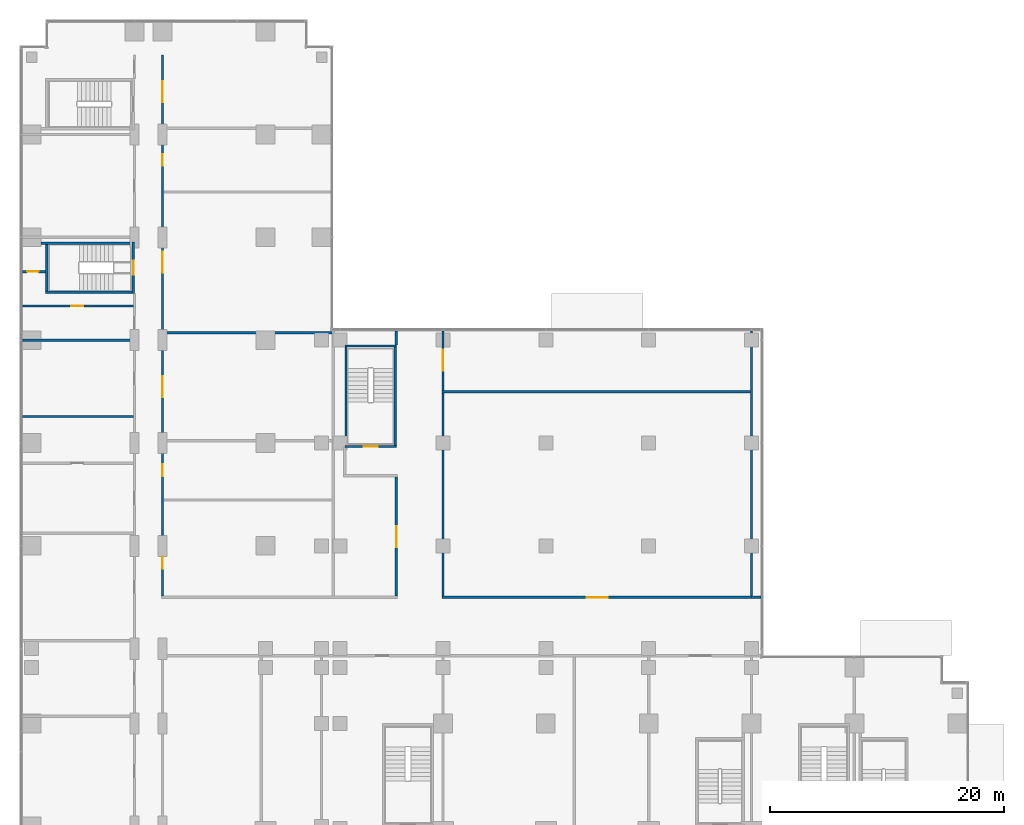
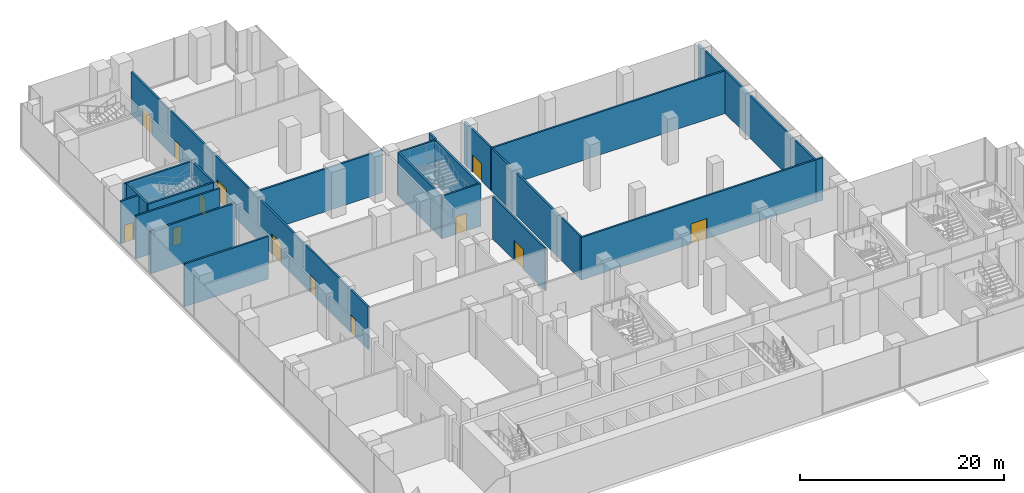
# One storey, part 20 of 30: 22 walls, 13 doors, 13 openings.
"""IFC4 building model written with IfcOpenShell, lengths in metres."""

from ifc_helpers import new_model, si_unit, direction, frame, frame_2d, origin, place, context, subcontext, project, spatial, rectangle, extrude, material, layer, layer_set, type_object, element, fill, save


model = new_model("IFC4")

# Units and contexts
model_context = context("Model", 3, precision=1e-05, world=origin(), true_north=direction((0.0, 1.0)))
body_context = subcontext(model_context, "Body", "Model", "MODEL_VIEW")
ifc_project = project(units=[si_unit("LENGTHUNIT", "METRE"), si_unit("AREAUNIT", "SQUARE_METRE"), si_unit("VOLUMEUNIT", "CUBIC_METRE"), si_unit("PLANEANGLEUNIT", "RADIAN"), si_unit("MASSUNIT", "GRAM", prefix="KILO")], contexts=[model_context])

# Site, building, storey
site_placement = place(None, origin())
site = spatial("IfcSite", under=ifc_project, at=site_placement, CompositionType="ELEMENT")
building_placement = place(site_placement, origin())
building = spatial("IfcBuilding", under=site, at=building_placement, Name="Kemantara Hotel Tower", CompositionType="ELEMENT")
storey_placement = place(building_placement, frame((0.0, 0.0, 7.5)))
storey = spatial("IfcBuildingStorey", under=building, at=storey_placement, Name="L01", CompositionType="ELEMENT", Elevation=7.5)

# Wall, opening, door
ifc_material_1 = material(Name="Concrete fc 40 MPa", Category="concrete")
ifc_layer_1 = layer(ifc_material_1, 0.199951171875)
ifc_layer_set_1 = layer_set([ifc_layer_1], Name="Concrete fc 40 MPa")
wall_type_1 = type_object("IfcWallType", Name="Concrete stair wall 200 mm", PredefinedType="SHEAR", material=ifc_layer_set_1)
wall_1_placement = place(storey_placement, frame((9.699951171875, 57.800048828125, 0.0), z_axis=(0.0, 0.0, 1.0), x_axis=(0.0, 1.0, 0.0)))
wall_1 = element("IfcWall", 1, at=wall_1_placement, inside=storey, type_object=wall_type_1, Name="Stair ST4 enclosure wall with door", PredefinedType="SHEAR", context=body_context, shape_type="SweptSolid", body=[
    extrude(rectangle(XDim=4.39990234375, YDim=0.199951171875, at=frame_2d((2.199951171875, 0.0))), origin(), (0.0, 0.0, 1.0), 5.10009765625),
])
opening_1_placement = place(wall_1_placement, frame((1.60009765625, 0.0, 0.0)))
opening_1 = element("IfcOpeningElement", 2, at=opening_1_placement, cuts=wall_1, Name="Opening ST4-C", PredefinedType="OPENING", context=body_context, shape_type="SweptSolid", body=[
    extrude(rectangle(XDim=1.199951171875, YDim=2.10009765625, at=frame_2d((0.60009765625, 1.050048828125))), frame((0.0, 0.10986328125, 0.0), z_axis=(0.0, -1.0, 0.0), x_axis=(1.0, 0.0, 0.0)), (0.0, 0.0, 1.0), 0.219970703125),
])
ifc_material_2 = material(Name="Steel fire door", Category="steel")
door_type_1 = type_object("IfcDoorType", Name="Fire door FD90 1200 x 2100", OperationType="NOTDEFINED", PredefinedType="DOOR", material=ifc_material_2)
door_1_placement = place(opening_1_placement, origin())
door_1 = element("IfcDoor", 3, at=door_1_placement, inside=storey, type_object=door_type_1, Name="Stair ST4 door", OperationType="SINGLE_SWING_RIGHT", OverallHeight=2.10009765625, OverallWidth=1.199951171875, PredefinedType="DOOR", context=body_context, shape_type="SweptSolid", body=[
    extrude(rectangle(XDim=1.199951171875, YDim=2.10009765625, at=frame_2d((0.60009765625, 1.050048828125))), frame((0.0, 0.02490234375, 0.0), z_axis=(0.0, -1.0, 0.0), x_axis=(1.0, 0.0, 0.0)), (0.0, 0.0, 1.0), 0.050048828125),
])
fill(opening_1, door_1)

# Walls
wall_2_placement = place(storey_placement, frame((1.800048828125, 62.10009765625, 0.0), z_axis=(0.0, 0.0, 1.0), x_axis=(1.0, 0.0, 0.0)))
element("IfcWall", 4, at=wall_2_placement, inside=storey, type_object=wall_type_1, Name="Stair ST4 enclosure wall N", PredefinedType="SHEAR", context=body_context, shape_type="SweptSolid", body=[
    extrude(rectangle(XDim=7.800048828125, YDim=0.199951171875, at=frame_2d((3.89990234375, 0.0))), origin(), (0.0, 0.0, 1.0), 5.10009765625),
])
wall_3_placement = place(storey_placement, frame((2.199951171875, 57.89990234375, 0.0), z_axis=(0.0, 0.0, 1.0), x_axis=(1.0, 0.0, 0.0)))
element("IfcWall", 5, at=wall_3_placement, inside=storey, type_object=wall_type_1, Name="Stair ST4 enclosure wall S", PredefinedType="SHEAR", context=body_context, shape_type="SweptSolid", body=[
    extrude(rectangle(XDim=7.400146484375, YDim=0.199951171875, at=frame_2d((3.7001953125, 0.0))), origin(), (0.0, 0.0, 1.0), 5.10009765625),
])
wall_4_placement = place(storey_placement, frame((2.300048828125, 58.0, 0.0), z_axis=(0.0, 0.0, 1.0), x_axis=(0.0, 1.0, 0.0)))
element("IfcWall", 6, at=wall_4_placement, inside=storey, type_object=wall_type_1, Name="Stair ST4 enclosure wall W", PredefinedType="SHEAR", context=body_context, shape_type="SweptSolid", body=[
    extrude(rectangle(XDim=4.0, YDim=0.199951171875, at=frame_2d((2.0, 0.0))), origin(), (0.0, 0.0, 1.0), 5.10009765625),
])

# Wall, opening, door
wall_5_placement = place(storey_placement, frame((27.800048828125, 44.699951171875, 0.0), z_axis=(0.0, 0.0, 1.0), x_axis=(1.0, 0.0, 0.0)))
wall_5 = element("IfcWall", 7, at=wall_5_placement, inside=storey, type_object=wall_type_1, Name="Stair PS2 enclosure wall with door", PredefinedType="SHEAR", context=body_context, shape_type="SweptSolid", body=[
    extrude(rectangle(XDim=4.39990234375, YDim=0.199951171875, at=frame_2d((2.199951171875, 0.0))), origin(), (0.0, 0.0, 1.0), 5.10009765625),
])
opening_2_placement = place(wall_5_placement, frame((1.60009765625, 0.0, 0.0)))
opening_2 = element("IfcOpeningElement", 8, at=opening_2_placement, cuts=wall_5, Name="Opening PS2-C", PredefinedType="OPENING", context=body_context, shape_type="SweptSolid", body=[
    extrude(rectangle(XDim=1.199951171875, YDim=2.10009765625, at=frame_2d((0.60009765625, 1.050048828125))), frame((0.0, 0.10986328125, 0.0), z_axis=(0.0, -1.0, 0.0), x_axis=(1.0, 0.0, 0.0)), (0.0, 0.0, 1.0), 0.219970703125),
])
door_2_placement = place(opening_2_placement, origin())
door_2 = element("IfcDoor", 9, at=door_2_placement, inside=storey, type_object=door_type_1, Name="Stair PS2 door", OperationType="SINGLE_SWING_LEFT", OverallHeight=2.10009765625, OverallWidth=1.199951171875, PredefinedType="DOOR", context=body_context, shape_type="SweptSolid", body=[
    extrude(rectangle(XDim=1.199951171875, YDim=2.10009765625, at=frame_2d((0.60009765625, 1.050048828125))), frame((0.0, 0.02490234375, 0.0), z_axis=(0.0, -1.0, 0.0), x_axis=(1.0, 0.0, 0.0)), (0.0, 0.0, 1.0), 0.050048828125),
])
fill(opening_2, door_2)

# Walls
wall_6_placement = place(storey_placement, frame((27.800048828125, 53.300048828125, 0.0), z_axis=(0.0, 0.0, 1.0), x_axis=(1.0, 0.0, 0.0)))
element("IfcWall", 10, at=wall_6_placement, inside=storey, type_object=wall_type_1, Name="Stair PS2 enclosure wall N", PredefinedType="SHEAR", context=body_context, shape_type="SweptSolid", body=[
    extrude(rectangle(XDim=4.39990234375, YDim=0.199951171875, at=frame_2d((2.199951171875, 0.0))), origin(), (0.0, 0.0, 1.0), 5.10009765625),
])
for number, where, z_axis, x_axis, name in (
    (11, (27.89990234375, 44.800048828125, 0.0), (0.0, 0.0, 1.0), (0.0, 1.0, 0.0), "Stair PS2 enclosure wall W"),
    (12, (32.10009765625, 44.800048828125, 0.0), (0.0, 0.0, 1.0), (0.0, 1.0, 0.0), "Stair PS2 enclosure wall E"),
):
    element("IfcWall", number, at=place(storey_placement, frame(where, z_axis=z_axis, x_axis=x_axis)), inside=storey, type_object=wall_type_1, Name=name, PredefinedType="SHEAR", context=body_context, shape_type="SweptSolid", body=[
        extrude(rectangle(XDim=8.39990234375, YDim=0.199951171875, at=frame_2d((4.199951171875, 0.0))), origin(), (0.0, 0.0, 1.0), 5.10009765625),
    ])
ifc_material_3 = material(Name="Clay brick masonry", Category="masonry")
ifc_layer_2 = layer(ifc_material_3, 0.199951171875)
ifc_layer_set_2 = layer_set([ifc_layer_2], Name="Clay brick masonry")
wall_type_2 = type_object("IfcWallType", Name="FIRE-RATED CLAY BRICK WALL 200 EI 120", PredefinedType="PARTITIONING", material=ifc_layer_set_2)
wall_7_placement = place(storey_placement, frame((62.60009765625, 31.800048828125, 0.0), z_axis=(0.0, 0.0, 1.0), x_axis=(1.0, 0.0, 0.0)))
element("IfcWall", 13, at=wall_7_placement, inside=storey, type_object=wall_type_2, Name="FIRE WALL", PredefinedType="PARTITIONING", context=body_context, shape_type="SweptSolid", body=[
    extrude(rectangle(XDim=0.7998046875, YDim=0.199951171875, at=frame_2d((0.39990234375, 0.0))), origin(), (0.0, 0.0, 1.0), 5.10009765625),
])
wall_8_placement = place(storey_placement, frame((62.60009765625, 31.89990234375, 0.0), z_axis=(0.0, 0.0, 1.0), x_axis=(0.0, 1.0, 0.0)))
element("IfcWall", 14, at=wall_8_placement, inside=storey, type_object=wall_type_2, Name="FIRE WALL", PredefinedType="PARTITIONING", context=body_context, shape_type="SweptSolid", body=[
    extrude(rectangle(XDim=22.7001953125, YDim=0.199951171875, at=frame_2d((11.35009765625, 0.0))), origin(), (0.0, 0.0, 1.0), 5.10009765625),
])

# Wall, openings, doors
ifc_material_4 = material(Name="Fire-rated gypsum board partition")
ifc_layer_3 = layer(ifc_material_4, 0.199951171875)
ifc_layer_set_3 = layer_set([ifc_layer_3], Name="Fire-rated gypsum board partition")
wall_type_3 = type_object("IfcWallType", Name="FIRE-RATED GYPSUM PARTITION 200 EI 60", PredefinedType="PARTITIONING", material=ifc_layer_set_3)
wall_9_placement = place(storey_placement, frame((12.199951171875, 31.89990234375, 0.0), z_axis=(0.0, 0.0, 1.0), x_axis=(0.0, 1.0, 0.0)))
wall_9 = element("IfcWall", 15, at=wall_9_placement, inside=storey, type_object=wall_type_3, Name="FIRE-RATED PARTITION", PredefinedType="PARTITIONING", context=body_context, shape_type="SweptSolid", body=[
    extrude(rectangle(XDim=46.300048828125, YDim=0.199951171875, at=frame_2d((23.14990234375, 0.0))), origin(), (0.0, 0.0, 1.0), 5.10009765625),
])
opening_3_placement = place(wall_9_placement, frame((2.364990234375, 0.0, 0.0)))
opening_3 = element("IfcOpeningElement", 16, at=opening_3_placement, cuts=wall_9, Name="Opening L01-B016", PredefinedType="OPENING", context=body_context, shape_type="SweptSolid", body=[
    extrude(rectangle(XDim=1.0, YDim=2.10009765625, at=frame_2d((0.5, 1.050048828125))), frame((0.0, 0.10986328125, 0.0), z_axis=(0.0, -1.0, 0.0), x_axis=(1.0, 0.0, 0.0)), (0.0, 0.0, 1.0), 0.219970703125),
])
opening_4_placement = place(wall_9_placement, frame((10.264892578125, 0.0, 0.0)))
opening_4 = element("IfcOpeningElement", 17, at=opening_4_placement, cuts=wall_9, Name="Opening L01-B017", PredefinedType="OPENING", context=body_context, shape_type="SweptSolid", body=[
    extrude(rectangle(XDim=1.0, YDim=2.10009765625, at=frame_2d((0.5, 1.050048828125))), frame((0.0, 0.10986328125, 0.0), z_axis=(0.0, -1.0, 0.0), x_axis=(1.0, 0.0, 0.0)), (0.0, 0.0, 1.0), 0.219970703125),
])
opening_5_placement = place(wall_9_placement, frame((17.02490234375, 0.0, 0.0)))
opening_5 = element("IfcOpeningElement", 18, at=opening_5_placement, cuts=wall_9, Name="Opening L01-B018", PredefinedType="OPENING", context=body_context, shape_type="SweptSolid", body=[
    extrude(rectangle(XDim=1.800048828125, YDim=2.39990234375, at=frame_2d((0.89990234375, 1.199951171875))), frame((0.0, 0.10986328125, 0.0), z_axis=(0.0, -1.0, 0.0), x_axis=(1.0, 0.0, 0.0)), (0.0, 0.0, 1.0), 0.219970703125),
])
opening_6_placement = place(wall_9_placement, frame((27.6650390625, 0.0, 0.0)))
opening_6 = element("IfcOpeningElement", 19, at=opening_6_placement, cuts=wall_9, Name="Opening L01-B019", PredefinedType="OPENING", context=body_context, shape_type="SweptSolid", body=[
    extrude(rectangle(XDim=1.800048828125, YDim=2.39990234375, at=frame_2d((0.89990234375, 1.199951171875))), frame((0.0, 0.10986328125, 0.0), z_axis=(0.0, -1.0, 0.0), x_axis=(1.0, 0.0, 0.0)), (0.0, 0.0, 1.0), 0.219970703125),
])
opening_7_placement = place(wall_9_placement, frame((36.81494140625, 0.0, 0.0)))
opening_7 = element("IfcOpeningElement", 20, at=opening_7_placement, cuts=wall_9, Name="Opening L01-B020", PredefinedType="OPENING", context=body_context, shape_type="SweptSolid", body=[
    extrude(rectangle(XDim=1.0, YDim=2.10009765625, at=frame_2d((0.5, 1.050048828125))), frame((0.0, 0.10986328125, 0.0), z_axis=(0.0, -1.0, 0.0), x_axis=(1.0, 0.0, 0.0)), (0.0, 0.0, 1.0), 0.219970703125),
])
opening_8_placement = place(wall_9_placement, frame((42.27490234375, 0.0, 0.0)))
opening_8 = element("IfcOpeningElement", 21, at=opening_8_placement, cuts=wall_9, Name="Opening L01-B021", PredefinedType="OPENING", context=body_context, shape_type="SweptSolid", body=[
    extrude(rectangle(XDim=1.800048828125, YDim=2.10009765625, at=frame_2d((0.89990234375, 1.050048828125))), frame((0.0, 0.10986328125, 0.0), z_axis=(0.0, -1.0, 0.0), x_axis=(1.0, 0.0, 0.0)), (0.0, 0.0, 1.0), 0.219970703125),
])
ifc_material_5 = material(Name="Timber veneer door leaf", Category="wood")
door_type_2 = type_object("IfcDoorType", Name="DOUBLE LEAF TIMBER DOOR 1800 X 2100", OperationType="DOUBLE_DOOR_SINGLE_SWING", PredefinedType="DOOR", material=ifc_material_5)
door_3_placement = place(opening_8_placement, origin())
door_3 = element("IfcDoor", 22, at=door_3_placement, inside=storey, type_object=door_type_2, Name="DOUBLE LEAF TIMBER DOOR", OperationType="DOUBLE_DOOR_SINGLE_SWING", OverallHeight=2.10009765625, OverallWidth=1.800048828125, PredefinedType="DOOR", context=body_context, shape_type="SweptSolid", body=[
    extrude(rectangle(XDim=1.800048828125, YDim=2.10009765625, at=frame_2d((0.89990234375, 1.050048828125))), frame((0.0, 0.02490234375, 0.0), z_axis=(0.0, -1.0, 0.0), x_axis=(1.0, 0.0, 0.0)), (0.0, 0.0, 1.0), 0.050048828125),
])
fill(opening_8, door_3)
ifc_material_6 = material(Name="Toughened glass door leaf", Category="glass")
door_type_3 = type_object("IfcDoorType", Name="GLAZED DOUBLE DOOR 1800 X 2400", OperationType="DOUBLE_DOOR_SINGLE_SWING", PredefinedType="DOOR", material=ifc_material_6)
door_4_placement = place(opening_5_placement, origin())
door_4 = element("IfcDoor", 23, at=door_4_placement, inside=storey, type_object=door_type_3, Name="GLAZED DOUBLE DOOR", OperationType="DOUBLE_DOOR_SINGLE_SWING", OverallHeight=2.39990234375, OverallWidth=1.800048828125, PredefinedType="DOOR", context=body_context, shape_type="SweptSolid", body=[
    extrude(rectangle(XDim=1.800048828125, YDim=2.39990234375, at=frame_2d((0.89990234375, 1.199951171875))), frame((0.0, 0.02490234375, 0.0), z_axis=(0.0, -1.0, 0.0), x_axis=(1.0, 0.0, 0.0)), (0.0, 0.0, 1.0), 0.050048828125),
])
fill(opening_5, door_4)
door_5_placement = place(opening_6_placement, origin())
door_5 = element("IfcDoor", 24, at=door_5_placement, inside=storey, type_object=door_type_3, Name="GLAZED DOUBLE DOOR", OperationType="DOUBLE_DOOR_SINGLE_SWING", OverallHeight=2.39990234375, OverallWidth=1.800048828125, PredefinedType="DOOR", context=body_context, shape_type="SweptSolid", body=[
    extrude(rectangle(XDim=1.800048828125, YDim=2.39990234375, at=frame_2d((0.89990234375, 1.199951171875))), frame((0.0, 0.02490234375, 0.0), z_axis=(0.0, -1.0, 0.0), x_axis=(1.0, 0.0, 0.0)), (0.0, 0.0, 1.0), 0.050048828125),
])
fill(opening_6, door_5)
door_type_4 = type_object("IfcDoorType", Name="SINGLE LEAF TIMBER DOOR 1000 X 2100", OperationType="SINGLE_SWING_LEFT", PredefinedType="DOOR", material=ifc_material_5)
door_6_placement = place(opening_3_placement, frame((1.0, 0.0, 0.0), z_axis=(0.0, 0.0, 1.0), x_axis=(-1.0, 0.0, 0.0)))
door_6 = element("IfcDoor", 25, at=door_6_placement, inside=storey, type_object=door_type_4, Name="SINGLE LEAF TIMBER DOOR", OperationType="SINGLE_SWING_RIGHT", OverallHeight=2.10009765625, OverallWidth=1.0, PredefinedType="DOOR", context=body_context, shape_type="SweptSolid", body=[
    extrude(rectangle(XDim=1.0, YDim=2.10009765625, at=frame_2d((0.5, 1.050048828125))), frame((0.0, 0.02490234375, 0.0), z_axis=(0.0, -1.0, 0.0), x_axis=(1.0, 0.0, 0.0)), (0.0, 0.0, 1.0), 0.050048828125),
])
fill(opening_3, door_6)
door_7_placement = place(opening_4_placement, frame((1.0, 0.0, 0.0), z_axis=(0.0, 0.0, 1.0), x_axis=(-1.0, 0.0, 0.0)))
door_7 = element("IfcDoor", 26, at=door_7_placement, inside=storey, type_object=door_type_4, Name="SINGLE LEAF TIMBER DOOR", OperationType="SINGLE_SWING_RIGHT", OverallHeight=2.10009765625, OverallWidth=1.0, PredefinedType="DOOR", context=body_context, shape_type="SweptSolid", body=[
    extrude(rectangle(XDim=1.0, YDim=2.10009765625, at=frame_2d((0.5, 1.050048828125))), frame((0.0, 0.02490234375, 0.0), z_axis=(0.0, -1.0, 0.0), x_axis=(1.0, 0.0, 0.0)), (0.0, 0.0, 1.0), 0.050048828125),
])
fill(opening_4, door_7)
door_8_placement = place(opening_7_placement, frame((1.0, 0.0, 0.0), z_axis=(0.0, 0.0, 1.0), x_axis=(-1.0, 0.0, 0.0)))
door_8 = element("IfcDoor", 27, at=door_8_placement, inside=storey, type_object=door_type_4, Name="SINGLE LEAF TIMBER DOOR", OperationType="SINGLE_SWING_LEFT", OverallHeight=2.10009765625, OverallWidth=1.0, PredefinedType="DOOR", context=body_context, shape_type="SweptSolid", body=[
    extrude(rectangle(XDim=1.0, YDim=2.10009765625, at=frame_2d((0.5, 1.050048828125))), frame((0.0, 0.02490234375, 0.0), z_axis=(0.0, -1.0, 0.0), x_axis=(1.0, 0.0, 0.0)), (0.0, 0.0, 1.0), 0.050048828125),
])
fill(opening_7, door_8)

# Wall, opening, door
wall_10_placement = place(storey_placement, frame((36.199951171875, 49.5, 0.0), z_axis=(0.0, 0.0, 1.0), x_axis=(0.0, 1.0, 0.0)))
wall_10 = element("IfcWall", 28, at=wall_10_placement, inside=storey, type_object=wall_type_3, Name="FIRE-RATED PARTITION", PredefinedType="PARTITIONING", context=body_context, shape_type="SweptSolid", body=[
    extrude(rectangle(XDim=5.10009765625, YDim=0.199951171875, at=frame_2d((2.550048828125, 0.0))), origin(), (0.0, 0.0, 1.0), 5.10009765625),
])
opening_9_placement = place(wall_10_placement, frame((1.699951171875, 0.0, 0.0)))
opening_9 = element("IfcOpeningElement", 29, at=opening_9_placement, cuts=wall_10, Name="Opening L01-B032", PredefinedType="OPENING", context=body_context, shape_type="SweptSolid", body=[
    extrude(rectangle(XDim=1.800048828125, YDim=2.10009765625, at=frame_2d((0.89990234375, 1.050048828125))), frame((0.0, 0.10986328125, 0.0), z_axis=(0.0, -1.0, 0.0), x_axis=(1.0, 0.0, 0.0)), (0.0, 0.0, 1.0), 0.219970703125),
])
door_9_placement = place(opening_9_placement, frame((1.800048828125, 0.0, 0.0), z_axis=(0.0, 0.0, 1.0), x_axis=(-1.0, 0.0, 0.0)))
door_9 = element("IfcDoor", 30, at=door_9_placement, inside=storey, type_object=door_type_2, Name="DOUBLE LEAF TIMBER DOOR", OperationType="DOUBLE_DOOR_SINGLE_SWING", OverallHeight=2.10009765625, OverallWidth=1.800048828125, PredefinedType="DOOR", context=body_context, shape_type="SweptSolid", body=[
    extrude(rectangle(XDim=1.800048828125, YDim=2.10009765625, at=frame_2d((0.89990234375, 1.050048828125))), frame((0.0, 0.02490234375, 0.0), z_axis=(0.0, -1.0, 0.0), x_axis=(1.0, 0.0, 0.0)), (0.0, 0.0, 1.0), 0.050048828125),
])
fill(opening_9, door_9)

ifc_material_7 = material(Name="Gypsum board partition")
ifc_layer_4 = layer(ifc_material_7, 0.199951171875)
ifc_layer_set_4 = layer_set([ifc_layer_4], Name="Gypsum board partition")
wall_type_4 = type_object("IfcWallType", Name="GYPSUM BOARD PARTITION 200", PredefinedType="PARTITIONING", material=ifc_layer_set_4)
wall_11_placement = place(storey_placement, frame((36.10009765625, 31.800048828125, 0.0), z_axis=(0.0, 0.0, 1.0), x_axis=(1.0, 0.0, 0.0)))
wall_11 = element("IfcWall", 31, at=wall_11_placement, inside=storey, type_object=wall_type_4, Name="PARTITION", PredefinedType="PARTITIONING", context=body_context, shape_type="SweptSolid", body=[
    extrude(rectangle(XDim=26.5, YDim=0.199951171875, at=frame_2d((13.25, 0.0))), origin(), (0.0, 0.0, 1.0), 5.10009765625),
])
opening_10_placement = place(wall_11_placement, frame((12.39990234375, 0.0, 0.0)))
opening_10 = element("IfcOpeningElement", 32, at=opening_10_placement, cuts=wall_11, Name="Opening L01-B031", PredefinedType="OPENING", context=body_context, shape_type="SweptSolid", body=[
    extrude(rectangle(XDim=1.800048828125, YDim=2.39990234375, at=frame_2d((0.89990234375, 1.199951171875))), frame((0.0, 0.10986328125, 0.0), z_axis=(0.0, -1.0, 0.0), x_axis=(1.0, 0.0, 0.0)), (0.0, 0.0, 1.0), 0.219970703125),
])
door_10_placement = place(opening_10_placement, origin())
door_10 = element("IfcDoor", 33, at=door_10_placement, inside=storey, type_object=door_type_3, Name="GLAZED DOUBLE DOOR", OperationType="DOUBLE_DOOR_SINGLE_SWING", OverallHeight=2.39990234375, OverallWidth=1.800048828125, PredefinedType="DOOR", context=body_context, shape_type="SweptSolid", body=[
    extrude(rectangle(XDim=1.800048828125, YDim=2.39990234375, at=frame_2d((0.89990234375, 1.199951171875))), frame((0.0, 0.02490234375, 0.0), z_axis=(0.0, -1.0, 0.0), x_axis=(1.0, 0.0, 0.0)), (0.0, 0.0, 1.0), 0.050048828125),
])
fill(opening_10, door_10)

# Walls
for number, where, z_axis, x_axis, name in (
    (34, (0.199951171875, 47.27001953125, 0.0), (0.0, 0.0, 1.0), (1.0, 0.0, 0.0), "PARTITION"),
    (35, (0.199951171875, 53.800048828125, 0.0), (0.0, 0.0, 1.0), (1.0, 0.0, 0.0), "PARTITION"),
):
    element("IfcWall", number, at=place(storey_placement, frame(where, z_axis=z_axis, x_axis=x_axis)), inside=storey, type_object=wall_type_4, Name=name, PredefinedType="PARTITIONING", context=body_context, shape_type="SweptSolid", body=[
        extrude(rectangle(XDim=9.5, YDim=0.199951171875, at=frame_2d((4.75, 0.0))), origin(), (0.0, 0.0, 1.0), 5.10009765625),
    ])

# Wall, opening, door
wall_12_placement = place(storey_placement, frame((0.199951171875, 56.73291015625, 0.0), z_axis=(0.0, 0.0, 1.0), x_axis=(1.0, 0.0, 0.0)))
wall_12 = element("IfcWall", 36, at=wall_12_placement, inside=storey, type_object=wall_type_4, Name="PARTITION", PredefinedType="PARTITIONING", context=body_context, shape_type="SweptSolid", body=[
    extrude(rectangle(XDim=9.5, YDim=0.199951171875, at=frame_2d((4.75, 0.0))), origin(), (0.0, 0.0, 1.0), 5.10009765625),
])
opening_11_placement = place(wall_12_placement, frame((4.199951171875, 0.0, 0.0)))
opening_11 = element("IfcOpeningElement", 37, at=opening_11_placement, cuts=wall_12, Name="Opening L01-B002", PredefinedType="OPENING", context=body_context, shape_type="SweptSolid", body=[
    extrude(rectangle(XDim=1.0, YDim=2.10009765625, at=frame_2d((0.5, 1.050048828125))), frame((0.0, 0.10986328125, 0.0), z_axis=(0.0, -1.0, 0.0), x_axis=(1.0, 0.0, 0.0)), (0.0, 0.0, 1.0), 0.219970703125),
])
door_11_placement = place(opening_11_placement, origin())
door_11 = element("IfcDoor", 38, at=door_11_placement, inside=storey, type_object=door_type_4, Name="SINGLE LEAF TIMBER DOOR", OperationType="SINGLE_SWING_LEFT", OverallHeight=2.10009765625, OverallWidth=1.0, PredefinedType="DOOR", context=body_context, shape_type="SweptSolid", body=[
    extrude(rectangle(XDim=1.0, YDim=2.10009765625, at=frame_2d((0.5, 1.050048828125))), frame((0.0, 0.02490234375, 0.0), z_axis=(0.0, -1.0, 0.0), x_axis=(1.0, 0.0, 0.0)), (0.0, 0.0, 1.0), 0.050048828125),
])
fill(opening_11, door_11)

wall_13_placement = place(storey_placement, frame((0.199951171875, 59.6669921875, 0.0), z_axis=(0.0, 0.0, 1.0), x_axis=(1.0, 0.0, 0.0)))
wall_13 = element("IfcWall", 39, at=wall_13_placement, inside=storey, type_object=wall_type_4, Name="PARTITION", PredefinedType="PARTITIONING", context=body_context, shape_type="SweptSolid", body=[
    extrude(rectangle(XDim=2.0, YDim=0.199951171875, at=frame_2d((1.0, 0.0))), origin(), (0.0, 0.0, 1.0), 5.10009765625),
])
opening_12_placement = place(wall_13_placement, frame((0.39990234375, 0.0, 0.0)))
opening_12 = element("IfcOpeningElement", 40, at=opening_12_placement, cuts=wall_13, Name="Opening L01-B003", PredefinedType="OPENING", context=body_context, shape_type="SweptSolid", body=[
    extrude(rectangle(XDim=1.0, YDim=2.10009765625, at=frame_2d((0.5, 1.050048828125))), frame((0.0, 0.10986328125, 0.0), z_axis=(0.0, -1.0, 0.0), x_axis=(1.0, 0.0, 0.0)), (0.0, 0.0, 1.0), 0.219970703125),
])
door_12_placement = place(opening_12_placement, origin())
door_12 = element("IfcDoor", 41, at=door_12_placement, inside=storey, type_object=door_type_4, Name="SINGLE LEAF TIMBER DOOR", OperationType="SINGLE_SWING_LEFT", OverallHeight=2.10009765625, OverallWidth=1.0, PredefinedType="DOOR", context=body_context, shape_type="SweptSolid", body=[
    extrude(rectangle(XDim=1.0, YDim=2.10009765625, at=frame_2d((0.5, 1.050048828125))), frame((0.0, 0.02490234375, 0.0), z_axis=(0.0, -1.0, 0.0), x_axis=(1.0, 0.0, 0.0)), (0.0, 0.0, 1.0), 0.050048828125),
])
fill(opening_12, door_12)

# Walls
wall_14_placement = place(storey_placement, frame((12.300048828125, 54.449951171875, 0.0), z_axis=(0.0, 0.0, 1.0), x_axis=(1.0, 0.0, 0.0)))
element("IfcWall", 42, at=wall_14_placement, inside=storey, type_object=wall_type_4, Name="PARTITION", PredefinedType="PARTITIONING", context=body_context, shape_type="SweptSolid", body=[
    extrude(rectangle(XDim=14.39990234375, YDim=0.199951171875, at=frame_2d((7.199951171875, 0.0))), origin(), (0.0, 0.0, 1.0), 5.10009765625),
])
wall_15_placement = place(storey_placement, frame((36.10009765625, 49.39990234375, 0.0), z_axis=(0.0, 0.0, 1.0), x_axis=(1.0, 0.0, 0.0)))
element("IfcWall", 43, at=wall_15_placement, inside=storey, type_object=wall_type_4, Name="PARTITION", PredefinedType="PARTITIONING", context=body_context, shape_type="SweptSolid", body=[
    extrude(rectangle(XDim=26.39990234375, YDim=0.199951171875, at=frame_2d((13.199951171875, 0.0))), origin(), (0.0, 0.0, 1.0), 5.10009765625),
])
wall_16_placement = place(storey_placement, frame((36.199951171875, 31.89990234375, 0.0), z_axis=(0.0, 0.0, 1.0), x_axis=(0.0, 1.0, 0.0)))
element("IfcWall", 44, at=wall_16_placement, inside=storey, type_object=wall_type_4, Name="PARTITION", PredefinedType="PARTITIONING", context=body_context, shape_type="SweptSolid", body=[
    extrude(rectangle(XDim=17.400146484375, YDim=0.199951171875, at=frame_2d((8.7001953125, 0.0))), origin(), (0.0, 0.0, 1.0), 5.10009765625),
])

# Wall, opening, door
wall_17_placement = place(storey_placement, frame((32.199951171875, 31.89990234375, 0.0), z_axis=(0.0, 0.0, 1.0), x_axis=(0.0, 1.0, 0.0)))
wall_17 = element("IfcWall", 45, at=wall_17_placement, inside=storey, type_object=wall_type_4, Name="PARTITION", PredefinedType="PARTITIONING", context=body_context, shape_type="SweptSolid", body=[
    extrude(rectangle(XDim=10.2001953125, YDim=0.199951171875, at=frame_2d((5.10009765625, 0.0))), origin(), (0.0, 0.0, 1.0), 5.10009765625),
])
opening_13_placement = place(wall_17_placement, frame((4.199951171875, 0.0, 0.0)))
opening_13 = element("IfcOpeningElement", 46, at=opening_13_placement, cuts=wall_17, Name="Opening L01-B033", PredefinedType="OPENING", context=body_context, shape_type="SweptSolid", body=[
    extrude(rectangle(XDim=1.800048828125, YDim=2.39990234375, at=frame_2d((0.89990234375, 1.199951171875))), frame((0.0, 0.10986328125, 0.0), z_axis=(0.0, -1.0, 0.0), x_axis=(1.0, 0.0, 0.0)), (0.0, 0.0, 1.0), 0.219970703125),
])
door_13_placement = place(opening_13_placement, frame((1.800048828125, 0.0, 0.0), z_axis=(0.0, 0.0, 1.0), x_axis=(-1.0, 0.0, 0.0)))
door_13 = element("IfcDoor", 47, at=door_13_placement, inside=storey, type_object=door_type_3, Name="GLAZED DOUBLE DOOR", OperationType="DOUBLE_DOOR_SINGLE_SWING", OverallHeight=2.39990234375, OverallWidth=1.800048828125, PredefinedType="DOOR", context=body_context, shape_type="SweptSolid", body=[
    extrude(rectangle(XDim=1.800048828125, YDim=2.39990234375, at=frame_2d((0.89990234375, 1.199951171875))), frame((0.0, 0.02490234375, 0.0), z_axis=(0.0, -1.0, 0.0), x_axis=(1.0, 0.0, 0.0)), (0.0, 0.0, 1.0), 0.050048828125),
])
fill(opening_13, door_13)

# Wall
wall_18_placement = place(storey_placement, frame((32.199951171875, 53.39990234375, 0.0), z_axis=(0.0, 0.0, 1.0), x_axis=(0.0, 1.0, 0.0)))
element("IfcWall", 48, at=wall_18_placement, inside=storey, type_object=wall_type_4, Name="PARTITION", PredefinedType="PARTITIONING", context=body_context, shape_type="SweptSolid", body=[
    extrude(rectangle(XDim=1.2001953125, YDim=0.199951171875, at=frame_2d((0.60009765625, 0.0))), origin(), (0.0, 0.0, 1.0), 5.10009765625),
])

save(model, "model.ifc")
